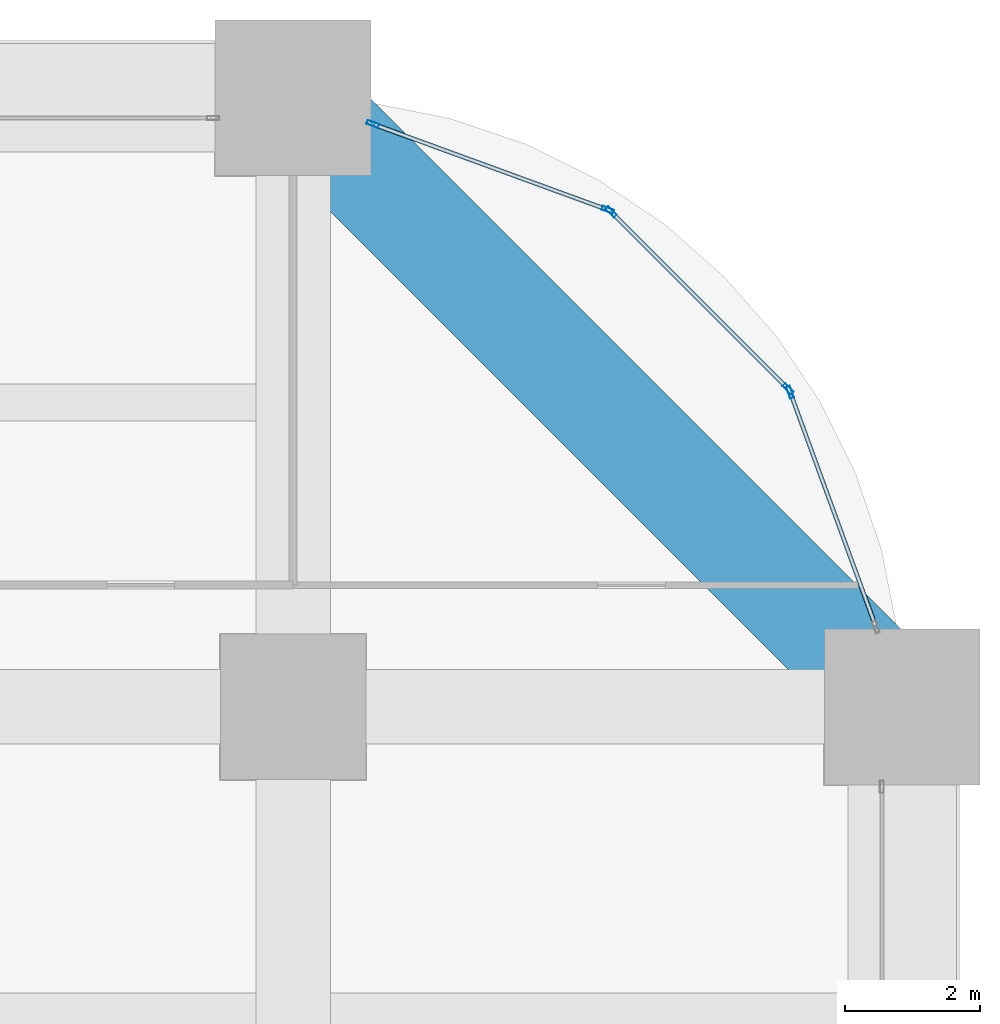
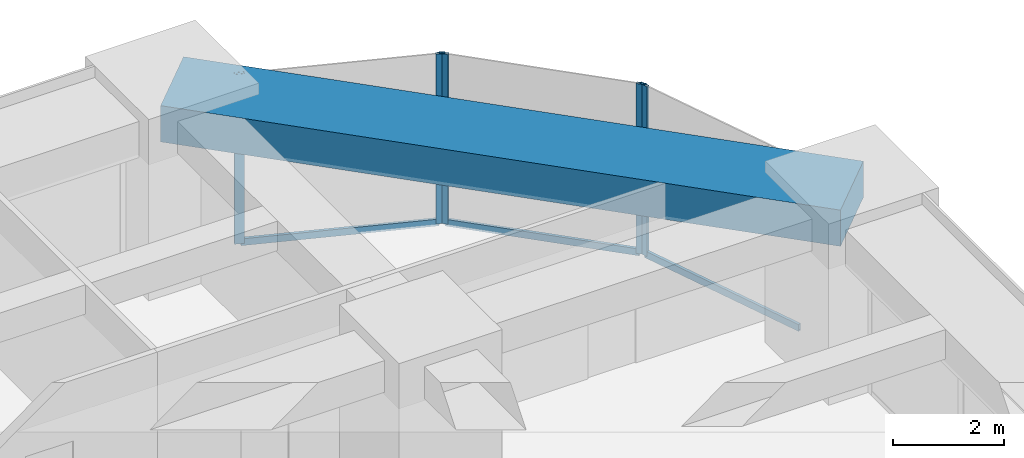
# One storey, part 37 of 43: 8 members, 1 beam, 3 elements without a shape of their own.
"""IFC4 building model written with IfcOpenShell, lengths in metres."""

import ifcopenshell
import ifcopenshell.guid

model = None  # the IFC model being written
_history = None  # IfcOwnerHistory: only IFC2X3 demands one
_inside = {}  # id of a spatial element -> (the spatial element, [elements in it])
_under = {}  # id of a project, library or spatial element -> (it, [spatial elements below it])
_declared = {}  # id of a project -> (the project, [libraries it declares])
_typed = {}  # id of a type object -> (the type object, [elements of that type])
_made_of = {}  # id of a material, layer set ... -> (it, [elements and type objects made of it])


def new_model(schema):
    """Start an empty IFC model of exactly this schema.

    Asked for "IFC4X3", IfcOpenShell would pick the latest addendum, in which some entities
    have other attributes; the version numbers below select the first issue.
    IFC2X3 requires an IfcOwnerHistory on every rooted entity: one is made here for all.
    """
    global model, _history
    if schema == "IFC4X3":
        model = ifcopenshell.file(schema_version=(4, 3, 0, 0))
    else:
        model = ifcopenshell.file(schema=schema)
    _inside.clear()
    _under.clear()
    _declared.clear()
    _typed.clear()
    _made_of.clear()
    _history = None
    if model.schema == "IFC2X3":
        org = make("IfcOrganization", Name="unknown")
        user = make(
            "IfcPersonAndOrganization",
            ThePerson=make("IfcPerson", FamilyName="unknown"),
            TheOrganization=org,
        )
        app = make(
            "IfcApplication",
            ApplicationDeveloper=org,
            Version="unknown",
            ApplicationFullName="unknown",
            ApplicationIdentifier="unknown",
        )
        _history = make(
            "IfcOwnerHistory",
            OwningUser=user,
            OwningApplication=app,
            ChangeAction="ADDED",
            CreationDate=0,
        )
    return model


def make(cls, **values):
    """One entity of the class cls with the attributes given. An attribute that is None is left unset."""
    return model.create_entity(
        cls, **{name: value for name, value in values.items() if value is not None}
    )


def rooted(cls, **values):
    """An entity with a GlobalId (a new one), such as an element, a storey or a relation."""
    return make(cls, GlobalId=ifcopenshell.guid.new(), OwnerHistory=_history, **values)


def si_unit(unit_type, name, prefix=None):
    """IfcSIUnit, for example si_unit("LENGTHUNIT", "METRE", prefix="MILLI")."""
    return make("IfcSIUnit", UnitType=unit_type, Prefix=prefix, Name=name)


def assignment(units):
    """IfcUnitAssignment: the units of a project."""
    return None if units is None else make("IfcUnitAssignment", Units=units)


def point(xyz):
    """IfcCartesianPoint."""
    return None if xyz is None else make("IfcCartesianPoint", Coordinates=xyz)


def direction(xyz):
    """IfcDirection."""
    return None if xyz is None else make("IfcDirection", DirectionRatios=xyz)


def frame(location, z_axis=None, x_axis=None):
    """IfcAxis2Placement3D, a coordinate frame: its origin and axes. An axis left out is left unset."""
    return make(
        "IfcAxis2Placement3D",
        Location=point(location),
        Axis=direction(z_axis),
        RefDirection=direction(x_axis),
    )


def frame_2d(location, x_axis=None):
    """IfcAxis2Placement2D, a coordinate frame in the plane: its origin and x axis."""
    return make(
        "IfcAxis2Placement2D", Location=point(location), RefDirection=direction(x_axis)
    )


def origin():
    """The frame at (0, 0, 0) with its axes left unset."""
    return frame((0.0, 0.0, 0.0))


def origin_2d():
    """The frame at (0, 0) in the plane with its x axis left unset."""
    return frame_2d((0.0, 0.0))


def place(relative_to, where):
    """IfcLocalPlacement: puts the frame where relative to a parent placement (None: the world)."""
    return make(
        "IfcLocalPlacement", PlacementRelTo=relative_to, RelativePlacement=where
    )


def context(
    kind, dimensions, precision=None, world=None, true_north=None, identifier=None
):
    """IfcGeometricRepresentationContext, for example the 3D "Model" context."""
    return make(
        "IfcGeometricRepresentationContext",
        ContextIdentifier=identifier,
        ContextType=kind,
        CoordinateSpaceDimension=dimensions,
        Precision=precision,
        WorldCoordinateSystem=world,
        TrueNorth=true_north,
    )


def subcontext(parent, identifier, kind, view, scale=None):
    """IfcGeometricRepresentationSubContext, for example "Body" below "Model"."""
    return make(
        "IfcGeometricRepresentationSubContext",
        ContextIdentifier=identifier,
        ContextType=kind,
        ParentContext=parent,
        TargetScale=scale,
        TargetView=view,
    )


def project(units=None, contexts=None):
    """IfcProject with its units and contexts."""
    return rooted(
        "IfcProject",
        Name="project",
        RepresentationContexts=contexts,
        UnitsInContext=assignment(units),
    )


def spatial(cls, under=None, at=None, **own):
    """A site, building, storey or space (cls), placed at a placement, below another one or the project."""
    s = rooted(cls, ObjectPlacement=at, **own)
    if under is not None:
        _under.setdefault(under.id(), (under, []))[1].append(s)
    return s


def profile(cls, at=None, kind="AREA", **sizes):
    """A parametric profile (cls). Its sizes go by their IFC names, for example OverallWidth=200.0."""
    return make(cls, ProfileType=kind, Position=at, **sizes)


def rectangle(**sizes):
    """IfcRectangleProfileDef."""
    return profile("IfcRectangleProfileDef", **sizes)


def hollow_rectangle(**sizes):
    """IfcRectangleHollowProfileDef."""
    return profile("IfcRectangleHollowProfileDef", **sizes)


def extrude(swept, where, along, depth):
    """IfcExtrudedAreaSolid: the profile swept, set in the frame where, extruded along a direction by depth."""
    return make(
        "IfcExtrudedAreaSolid",
        SweptArea=swept,
        Position=where,
        ExtrudedDirection=direction(along),
        Depth=depth,
    )


def shape(context_of_items, identifier, shape_type, items):
    """IfcShapeRepresentation: the items that make up one representation, for example the "Body"."""
    return make(
        "IfcShapeRepresentation",
        ContextOfItems=context_of_items,
        RepresentationIdentifier=identifier,
        RepresentationType=shape_type,
        Items=items,
    )


def material(Name=None, Category=None):
    """IfcMaterial."""
    return make("IfcMaterial", Name=Name, Category=Category)


def material_profile(
    of_material, cross_section, Name=None, Category=None, Priority=None
):
    """IfcMaterialProfile: a cross section and its material."""
    return make(
        "IfcMaterialProfile",
        Name=Name,
        Material=of_material,
        Profile=cross_section,
        Priority=Priority,
        Category=Category,
    )


def profile_set(profiles, Name=None, composite=None):
    """IfcMaterialProfileSet."""
    return make(
        "IfcMaterialProfileSet",
        Name=Name,
        MaterialProfiles=profiles,
        CompositeProfile=composite,
    )


def made_of(thing, what):
    """Note that an element or type object is made of a material, layer set ...; save() writes the relation."""
    if what is not None:
        _made_of.setdefault(what.id(), (what, []))[1].append(thing)
    return thing


def type_object(cls, material=None, **own):
    """A type object (cls), such as IfcWallType, which elements share."""
    return made_of(rooted(cls, **own), material)


def element(
    cls,
    number,
    at=None,
    inside=None,
    cuts=None,
    type_object=None,
    material=None,
    context=None,
    identifier="Body",
    shape_type=None,
    held_by="IfcProductDefinitionShape",
    body=None,
    shapes=None,
    **own,
):
    """One element of the class cls, such as IfcWall. Its Tag is "e" and its number.

    at: its placement. inside: the storey or other place that contains it. cuts: it is an
    opening in that element (IfcRelVoidsElement). A single representation is given by context,
    identifier, shape_type and body (its items); several are given by shapes. held_by: the class
    of the entity that holds the representations. save() writes the other relations.
    """
    e = rooted(cls, Tag="e%d" % number, ObjectPlacement=at, **own)
    if body is not None:
        shapes = [shape(context, identifier, shape_type, body)]
    if shapes is not None:
        e.Representation = make(held_by, Representations=shapes)
    if inside is not None:
        _inside.setdefault(inside.id(), (inside, []))[1].append(e)
    if cuts is not None:
        rooted(
            "IfcRelVoidsElement", RelatingBuildingElement=cuts, RelatedOpeningElement=e
        )
    if type_object is not None:
        _typed.setdefault(type_object.id(), (type_object, []))[1].append(e)
    return made_of(e, material)


def aggregate(whole, parts):
    """IfcRelAggregates: a whole, such as a stair, and the parts it consists of."""
    return rooted("IfcRelAggregates", RelatingObject=whole, RelatedObjects=parts)


def save(model, path):
    """Write the relations noted so far, then the file.

    IfcRelAggregates (storeys below a building ...), IfcRelContainedInSpatialStructure (elements
    in a storey), IfcRelDefinesByType, IfcRelAssociatesMaterial and IfcRelDeclares: one each for
    every whole, place, type object, material and project.
    """
    for whole, parts in _under.values():
        aggregate(whole, parts)
    for where, things in _inside.values():
        rooted(
            "IfcRelContainedInSpatialStructure",
            RelatedElements=things,
            RelatingStructure=where,
        )
    for kind, things in _typed.values():
        rooted("IfcRelDefinesByType", RelatedObjects=things, RelatingType=kind)
    for what, things in _made_of.values():
        rooted("IfcRelAssociatesMaterial", RelatedObjects=things, RelatingMaterial=what)
    for by, libraries in _declared.values():
        rooted("IfcRelDeclares", RelatingContext=by, RelatedDefinitions=libraries)
    model.write(path)


model = new_model("IFC4")

# Units and contexts
model_context = context("Model", 3, precision=1e-05, world=origin(), true_north=direction((0.0, 1.0)))
body_context = subcontext(model_context, "Body", "Model", "MODEL_VIEW")
ifc_project = project(units=[si_unit("LENGTHUNIT", "METRE"), si_unit("AREAUNIT", "SQUARE_METRE"), si_unit("VOLUMEUNIT", "CUBIC_METRE"), si_unit("PLANEANGLEUNIT", "RADIAN"), si_unit("MASSUNIT", "GRAM", prefix="KILO")], contexts=[model_context])

# Site, building, storey
site_placement = place(None, origin())
site = spatial("IfcSite", under=ifc_project, at=site_placement, CompositionType="ELEMENT")
building_placement = place(site_placement, origin())
building = spatial("IfcBuilding", under=site, at=building_placement, Name="Zorevar Civic Tower", CompositionType="ELEMENT")
storey_placement = place(building_placement, frame((0.0, 0.0, 67.800048828125)))
storey = spatial("IfcBuildingStorey", under=building, at=storey_placement, Name="L16", CompositionType="ELEMENT", Elevation=67.800048828125)

# Curtain wall, member
ifc_material_1 = material(Name="Dark grey solar-control glass in black aluminium frame", Category="aluminium")
curtain_wall_type = type_object("IfcCurtainWallType", Name="Curtain wall CW2 low zone", PredefinedType="NOTDEFINED", material=ifc_material_1)
curtain_wall_1_placement = place(storey_placement, origin())
curtain_wall_1 = element("IfcCurtainWall", 1, at=curtain_wall_1_placement, inside=storey, type_object=curtain_wall_type, Name="CW2 L16", PredefinedType="NOTDEFINED")
ifc_material_2 = material(Name="Aluminium, black anodised", Category="aluminium")
ifc_material_profile_1 = material_profile(ifc_material_2, hollow_rectangle(XDim=0.06005859375, YDim=0.179931640625, WallThickness=0.00390625, at=origin_2d()), Name="AL 180x60x4")
ifc_profile_set_1 = profile_set([ifc_material_profile_1], Name="Aluminium, black anodised")
member_type_1 = type_object("IfcMemberType", Name="CW2 mullion AL 180x60x4", PredefinedType="MULLION", material=ifc_profile_set_1)
member_1_placement = place(storey_placement, frame((61.34521484375, 49.650390625, 0.0), z_axis=(0.0, 0.0, 1.0), x_axis=(-0.939313345732, -0.343060400701, 0.0)))
member_1 = element("IfcMember", 2, at=member_1_placement, type_object=member_type_1, Name="CW2 mullion 2", PredefinedType="MULLION", context=body_context, shape_type="SweptSolid", body=[
    extrude(hollow_rectangle(XDim=0.06005859375, YDim=0.179931640625, WallThickness=0.00390625, at=origin_2d()), origin(), (0.0, 0.0, 1.0), 3.75),
])

# Curtain wall, members
curtain_wall_2_placement = place(storey_placement, origin())
curtain_wall_2 = element("IfcCurtainWall", 3, at=curtain_wall_2_placement, inside=storey, type_object=curtain_wall_type, Name="CW2 L16", PredefinedType="NOTDEFINED")
member_2_placement = place(storey_placement, frame((61.313720703125, 49.69970703125, 0.0), z_axis=(0.0, 0.0, 1.0), x_axis=(-0.707106781187, -0.707106781187, 0.0)))
member_2 = element("IfcMember", 4, at=member_2_placement, type_object=member_type_1, Name="CW2 mullion 1", PredefinedType="MULLION", context=body_context, shape_type="SweptSolid", body=[
    extrude(hollow_rectangle(XDim=0.06005859375, YDim=0.179931640625, WallThickness=0.00390625, at=origin_2d()), origin(), (0.0, 0.0, 1.0), 3.75),
])
member_3_placement = place(storey_placement, frame((58.69970703125, 52.313720703125, 0.0), z_axis=(0.0, 0.0, 1.0), x_axis=(-0.707106781187, -0.707106781187, 0.0)))
member_3 = element("IfcMember", 5, at=member_3_placement, type_object=member_type_1, Name="CW2 mullion 2", PredefinedType="MULLION", context=body_context, shape_type="SweptSolid", body=[
    extrude(hollow_rectangle(XDim=0.06005859375, YDim=0.179931640625, WallThickness=0.00390625, at=origin_2d()), origin(), (0.0, 0.0, 1.0), 3.75),
])

curtain_wall_3_placement = place(storey_placement, origin())
curtain_wall_3 = element("IfcCurtainWall", 6, at=curtain_wall_3_placement, inside=storey, type_object=curtain_wall_type, Name="CW2 L16", PredefinedType="NOTDEFINED")
member_4_placement = place(storey_placement, frame((58.650390625, 52.34521484375, 0.0), z_axis=(0.0, 0.0, 1.0), x_axis=(-0.343060400701, -0.939313345732, 0.0)))
member_4 = element("IfcMember", 7, at=member_4_placement, type_object=member_type_1, Name="CW2 mullion 1", PredefinedType="MULLION", context=body_context, shape_type="SweptSolid", body=[
    extrude(hollow_rectangle(XDim=0.06005859375, YDim=0.179931640625, WallThickness=0.00390625, at=origin_2d()), origin(), (0.0, 0.0, 1.0), 3.75),
])
member_5_placement = place(storey_placement, frame((55.17822265625, 53.61328125, 0.0), z_axis=(0.0, 0.0, 1.0), x_axis=(-0.343060400701, -0.939313345732, 0.0)))
member_5 = element("IfcMember", 8, at=member_5_placement, type_object=member_type_1, Name="CW2 mullion 2", PredefinedType="MULLION", context=body_context, shape_type="SweptSolid", body=[
    extrude(hollow_rectangle(XDim=0.06005859375, YDim=0.179931640625, WallThickness=0.00390625, at=origin_2d()), origin(), (0.0, 0.0, 1.0), 3.75),
])

# Member
ifc_material_3 = material(Name="Aluminium, black anodised", Category="aluminium")
ifc_material_profile_2 = material_profile(ifc_material_3, hollow_rectangle(XDim=0.06005859375, YDim=0.14990234375, WallThickness=0.00390625, at=origin_2d()), Name="AL 150x60x4")
ifc_profile_set_2 = profile_set([ifc_material_profile_2], Name="Aluminium, black anodised")
member_type_2 = type_object("IfcMemberType", Name="CW2 transom AL 150x60x4", PredefinedType="USERDEFINED", material=ifc_profile_set_2)
member_6_placement = place(storey_placement, frame((62.60302734375, 46.206298828125, 0.030029296875), z_axis=(-0.343047162808, 0.939318180432, 0.0), x_axis=(-0.939318180432, -0.343047162808, 0.0)))
member_6 = element("IfcMember", 9, at=member_6_placement, type_object=member_type_2, Name="CW2 sill transom", ObjectType="TRANSOM", PredefinedType="USERDEFINED", context=body_context, shape_type="SweptSolid", body=[
    extrude(hollow_rectangle(XDim=0.06005859375, YDim=0.14990234375, WallThickness=0.00390625, at=origin_2d()), origin(), (0.0, 0.0, 1.0), 3.63671875),
])

aggregate(curtain_wall_1, [member_1, member_6])

member_7_placement = place(storey_placement, frame((61.29248046875, 49.720947265625, 0.030029296875), z_axis=(-0.707106781187, 0.707106781187, 0.0), x_axis=(-0.707106781187, -0.707106781187, 0.0)))
member_7 = element("IfcMember", 10, at=member_7_placement, type_object=member_type_2, Name="CW2 sill transom", ObjectType="TRANSOM", PredefinedType="USERDEFINED", context=body_context, shape_type="SweptSolid", body=[
    extrude(hollow_rectangle(XDim=0.06005859375, YDim=0.14990234375, WallThickness=0.00390625, at=origin_2d()), origin(), (0.0, 0.0, 1.0), 3.63671875),
])

aggregate(curtain_wall_2, [member_2, member_3, member_7])

member_8_placement = place(storey_placement, frame((58.622314453125, 52.35546875, 0.030029296875), z_axis=(-0.939318180432, 0.343047162808, 0.0), x_axis=(-0.343047162808, -0.939318180432, 0.0)))
member_8 = element("IfcMember", 11, at=member_8_placement, type_object=member_type_2, Name="CW2 sill transom", ObjectType="TRANSOM", PredefinedType="USERDEFINED", context=body_context, shape_type="SweptSolid", body=[
    extrude(hollow_rectangle(XDim=0.06005859375, YDim=0.14990234375, WallThickness=0.00390625, at=origin_2d()), origin(), (0.0, 0.0, 1.0), 3.63671875),
])

aggregate(curtain_wall_3, [member_4, member_5, member_8])

# Beam
ifc_material_4 = material(Name="Concrete C50/60", Category="concrete")
ifc_material_profile_3 = material_profile(ifc_material_4, rectangle(XDim=1.60009765625, YDim=0.800048828125, at=origin_2d()), Name="RC 1600x800")
ifc_profile_set_3 = profile_set([ifc_material_profile_3], Name="Concrete C50/60")
beam_type = type_object("IfcBeamType", Name="Edge beam RC 1600x800", PredefinedType="SPANDREL", material=ifc_profile_set_3)
beam_placement = place(storey_placement, frame((63.0, 45.0, 3.349853515625), z_axis=(-0.707106781187, 0.707106781187, 0.0), x_axis=(-0.707106781187, -0.707106781187, 0.0)))
element("IfcBeam", 12, at=beam_placement, inside=storey, type_object=beam_type, Name="Corner edge beam L17", PredefinedType="SPANDREL", context=body_context, shape_type="SweptSolid", body=[
    extrude(rectangle(XDim=1.60009765625, YDim=0.800048828125, at=origin_2d()), origin(), (0.0, 0.0, 1.0), 12.72802734375),
])

save(model, "model.ifc")
